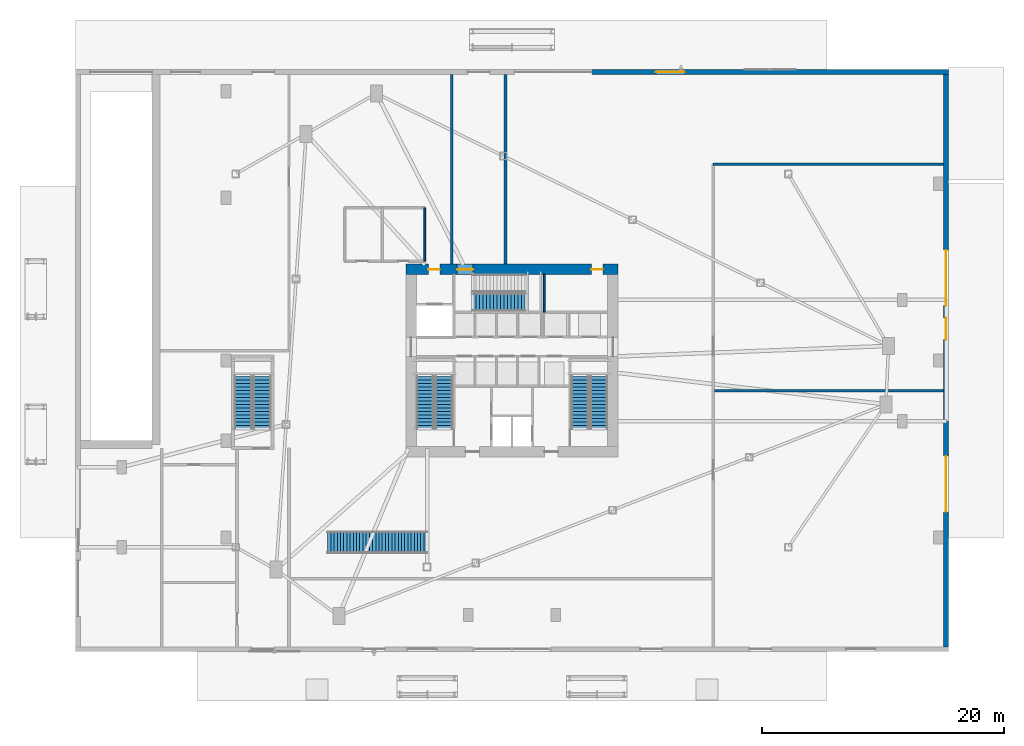
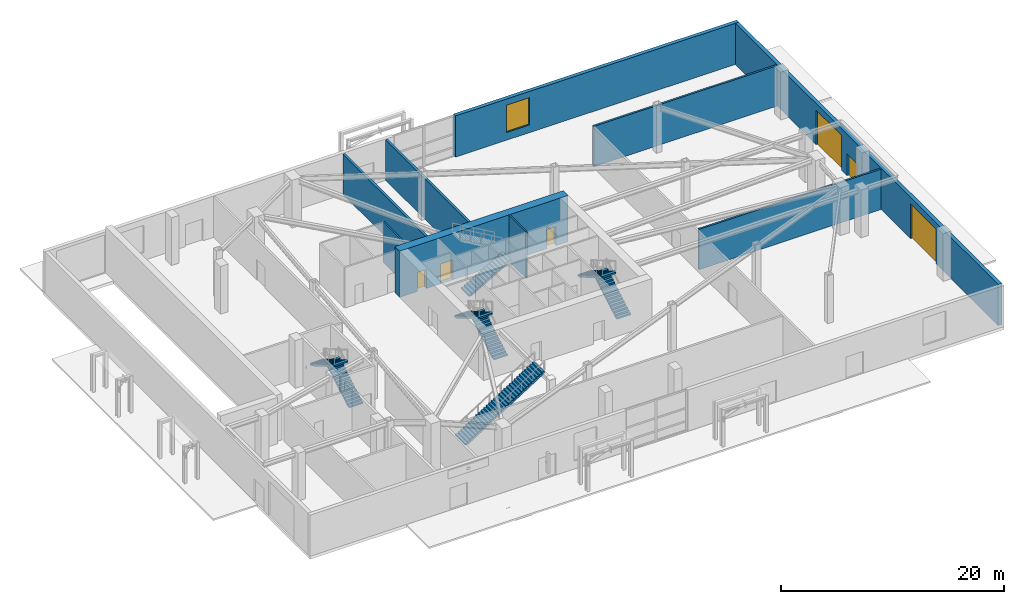
# One storey, part 16 of 22: 9 walls, 8 stair flights, 6 doors, 1 window, 7 openings, 5 elements without a shape of their own.
"""IFC4 building model written with IfcOpenShell, lengths in metres."""

from ifc_helpers import new_model, si_unit, direction, frame, frame_2d, origin, place, context, subcontext, project, spatial, polyline, rectangle, outline, extrude, source, transform, mapped, material, layer, layer_set, type_object, type_shapes, element, fill, aggregate, save


model = new_model("IFC4")

# Units and contexts
model_context = context("Model", 3, precision=1e-05, world=origin(), true_north=direction((0.0, 1.0)))
body_context = subcontext(model_context, "Body", "Model", "MODEL_VIEW")
ifc_project = project(units=[si_unit("LENGTHUNIT", "METRE"), si_unit("AREAUNIT", "SQUARE_METRE"), si_unit("VOLUMEUNIT", "CUBIC_METRE"), si_unit("PLANEANGLEUNIT", "RADIAN"), si_unit("MASSUNIT", "GRAM", prefix="KILO")], contexts=[model_context])

# Site, building, storey
site_placement = place(None, origin())
site = spatial("IfcSite", under=ifc_project, at=site_placement, CompositionType="ELEMENT")
building_placement = place(site_placement, origin())
building = spatial("IfcBuilding", under=site, at=building_placement, Name="Olszyna Solenne Hotel", CompositionType="ELEMENT")
storey_placement = place(building_placement, origin())
storey = spatial("IfcBuildingStorey", under=building, at=storey_placement, Name="L00", CompositionType="ELEMENT", Elevation=0.0)

# Wall, openings, doors
ifc_material_1 = material(Name="Concrete C60/75", Category="concrete")
ifc_layer_1 = layer(ifc_material_1, 0.85009765625, Name="Concrete C60/75")
ifc_layer_set_1 = layer_set([ifc_layer_1], Name="Concrete C60/75")
wall_type_1 = type_object("IfcWallType", Name="WL-CR850", PredefinedType="SHEAR", material=ifc_layer_set_1)
wall_1_placement = place(storey_placement, frame((29.25, 34.125, 0.0), z_axis=(0.0, 0.0, 1.0), x_axis=(1.0, 0.0, 0.0)))
wall_1 = element("IfcWall", 1, at=wall_1_placement, inside=storey, type_object=wall_type_1, Name="Core shear wall WL-CR850 CRW-L00-N", PredefinedType="SHEAR", context=body_context, shape_type="SweptSolid", body=[
    extrude(rectangle(XDim=17.5, YDim=0.85009765625, at=frame_2d((8.75, 0.0))), origin(), (0.0, 0.0, 1.0), 5.080078125),
])
opening_1_placement = place(wall_1_placement, frame((1.85009765625, 0.0, 0.0)))
opening_1 = element("IfcOpeningElement", 2, at=opening_1_placement, cuts=wall_1, Name="Opening SVD-L00-01", PredefinedType="OPENING", context=body_context, shape_type="SweptSolid", body=[
    extrude(rectangle(XDim=0.949951171875, YDim=2.10009765625, at=frame_2d((0.47509765625, 1.050048828125))), frame((0.0, 0.43505859375, 0.0), z_axis=(0.0, -1.0, 0.0), x_axis=(1.0, 0.0, 0.0)), (0.0, 0.0, 1.0), 0.8701171875),
])
opening_2_placement = place(wall_1_placement, frame((4.22998046875, 0.0, 0.0)))
opening_2 = element("IfcOpeningElement", 3, at=opening_2_placement, cuts=wall_1, Name="Opening STD-L00-03", PredefinedType="OPENING", context=body_context, shape_type="SweptSolid", body=[
    extrude(rectangle(XDim=1.320068359375, YDim=2.199951171875, at=frame_2d((0.66015625, 1.10009765625))), frame((0.0, 0.43505859375, 0.0), z_axis=(0.0, -1.0, 0.0), x_axis=(1.0, 0.0, 0.0)), (0.0, 0.0, 1.0), 0.8701171875),
])
opening_3_placement = place(wall_1_placement, frame((15.300048828125, 0.0, 0.0)))
opening_3 = element("IfcOpeningElement", 4, at=opening_3_placement, cuts=wall_1, Name="Opening SVD-L00-BN", PredefinedType="OPENING", context=body_context, shape_type="SweptSolid", body=[
    extrude(rectangle(XDim=0.949951171875, YDim=2.10009765625, at=frame_2d((0.47509765625, 1.050048828125))), frame((0.0, 0.43505859375, 0.0), z_axis=(0.0, -1.0, 0.0), x_axis=(1.0, 0.0, 0.0)), (0.0, 0.0, 1.0), 0.8701171875),
])
ifc_material_2 = material(Name="Steel S355J2", Category="steel")
door_type_1 = type_object("IfcDoorType", Name="DR-ST1", OperationType="NOTDEFINED", PredefinedType="DOOR", material=ifc_material_2)
shared_shape_1 = source(origin(), body_context, "Body", "SweptSolid", [
    extrude(rectangle(XDim=1.320068359375, YDim=2.199951171875, at=frame_2d((0.66015625, 1.10009765625))), frame((0.0, 0.02490234375, 0.0), z_axis=(0.0, -1.0, 0.0), x_axis=(1.0, 0.0, 0.0)), (0.0, 0.0, 1.0), 0.050048828125),
])
type_shapes(door_type_1, [shared_shape_1])
door_1_placement = place(opening_2_placement, origin())
door_1 = element("IfcDoor", 5, at=door_1_placement, inside=storey, type_object=door_type_1, Name="Pressurised exit stair ST3 fire door STD-L00-03", OperationType="SINGLE_SWING_RIGHT", OverallHeight=2.199951171875, OverallWidth=1.320068359375, PredefinedType="DOOR", context=body_context, shape_type="MappedRepresentation", body=[
    mapped(shared_shape_1, transform((0.0, 0.0, 0.0), x_axis=(1.0, 0.0, 0.0), y_axis=(0.0, 1.0, 0.0), z_axis=(0.0, 0.0, 1.0), scale=1.0)),
])
fill(opening_2, door_1)
door_type_2 = type_object("IfcDoorType", Name="DR-SV1", OperationType="NOTDEFINED", PredefinedType="DOOR", material=ifc_material_2)
shared_shape_2 = source(origin(), body_context, "Body", "SweptSolid", [
    extrude(rectangle(XDim=0.949951171875, YDim=2.10009765625, at=frame_2d((0.47509765625, 1.050048828125))), frame((0.0, 0.02490234375, 0.0), z_axis=(0.0, -1.0, 0.0), x_axis=(1.0, 0.0, 0.0)), (0.0, 0.0, 1.0), 0.050048828125),
])
type_shapes(door_type_2, [shared_shape_2])
door_2_placement = place(opening_1_placement, origin())
door_2 = element("IfcDoor", 6, at=door_2_placement, inside=storey, type_object=door_type_2, Name="Service lift lobby fire door SVD-L00-01", OperationType="SINGLE_SWING_LEFT", OverallHeight=2.10009765625, OverallWidth=0.949951171875, PredefinedType="DOOR", context=body_context, shape_type="MappedRepresentation", body=[
    mapped(shared_shape_2, transform((0.0, 0.0, 0.0), x_axis=(1.0, 0.0, 0.0), y_axis=(0.0, 1.0, 0.0), z_axis=(0.0, 0.0, 1.0), scale=1.0)),
])
fill(opening_1, door_2)
door_3_placement = place(opening_3_placement, origin())
door_3 = element("IfcDoor", 7, at=door_3_placement, inside=storey, type_object=door_type_2, Name="Housekeeping core fire door SVD-L00-BN", OperationType="SINGLE_SWING_LEFT", OverallHeight=2.10009765625, OverallWidth=0.949951171875, PredefinedType="DOOR", context=body_context, shape_type="MappedRepresentation", body=[
    mapped(shared_shape_2, transform((0.0, 0.0, 0.0), x_axis=(1.0, 0.0, 0.0), y_axis=(0.0, 1.0, 0.0), z_axis=(0.0, 0.0, 1.0), scale=1.0)),
])
fill(opening_3, door_3)

# Wall, opening, window
ifc_material_3 = material(Name="Terracotta cladding on precast concrete C45/55", Category="masonry")
ifc_layer_2 = layer(ifc_material_3, 0.3798828125, Name="Terracotta cladding on precast concrete C45/55")
ifc_layer_set_2 = layer_set([ifc_layer_2], Name="Terracotta cladding on precast concrete C45/55")
wall_type_2 = type_object("IfcWallType", Name="WL-EX380", PredefinedType="SOLIDWALL", material=ifc_layer_set_2)
wall_2_placement = place(storey_placement, frame((44.60009765625, 50.409912109375, 0.0), z_axis=(0.0, 0.0, 1.0), x_axis=(1.0, 0.0, 0.0)))
wall_2 = element("IfcWall", 8, at=wall_2_placement, inside=storey, type_object=wall_type_2, Name="Podium terracotta-precast exterior wall EW-L00-NE", PredefinedType="SOLIDWALL", context=body_context, shape_type="SweptSolid", body=[
    extrude(rectangle(XDim=29.39990234375, YDim=0.3798828125, at=frame_2d((14.699951171875, 0.0))), origin(), (0.0, 0.0, 1.0), 4.52197265625),
])
opening_4_placement = place(wall_2_placement, frame((5.26806640625, 0.0, 0.85009765625)))
opening_4 = element("IfcOpeningElement", 9, at=opening_4_placement, cuts=wall_2, Name="Opening WN-L00-004", PredefinedType="OPENING", context=body_context, shape_type="SweptSolid", body=[
    extrude(rectangle(XDim=2.39990234375, YDim=3.0, at=frame_2d((1.199951171875, 1.5))), frame((0.0, 0.199951171875, 0.0), z_axis=(0.0, -1.0, 0.0), x_axis=(1.0, 0.0, 0.0)), (0.0, 0.0, 1.0), 0.39990234375),
])
ifc_material_4 = material(Name="Low-E triple glazing", Category="glass")
window_type = type_object("IfcWindowType", Name="WN-PD1", PartitioningType="SINGLE_PANEL", PredefinedType="WINDOW", material=ifc_material_4)
shared_shape_3 = source(origin(), body_context, "Body", "SweptSolid", [
    extrude(rectangle(XDim=2.39990234375, YDim=3.0, at=frame_2d((1.199951171875, 1.5))), frame((0.0, 0.030029296875, 0.0), z_axis=(0.0, -1.0, 0.0), x_axis=(1.0, 0.0, 0.0)), (0.0, 0.0, 1.0), 0.06005859375),
])
type_shapes(window_type, [shared_shape_3])
window_placement = place(opening_4_placement, origin())
window = element("IfcWindow", 10, at=window_placement, inside=storey, type_object=window_type, Name="Podium triple-glazed window WN-PD1 WN-L00-004", OverallHeight=3.0, OverallWidth=2.39990234375, PartitioningType="SINGLE_PANEL", PredefinedType="WINDOW", context=body_context, shape_type="MappedRepresentation", body=[
    mapped(shared_shape_3, transform((0.0, 0.0, 0.0), x_axis=(1.0, 0.0, 0.0), y_axis=(0.0, 1.0, 0.0), z_axis=(0.0, 0.0, 1.0), scale=1.0)),
])
fill(opening_4, window)

# Wall, openings, doors
wall_3_placement = place(storey_placement, frame((73.81005859375, 50.219970703125, 0.0), z_axis=(0.0, 0.0, 1.0), x_axis=(0.0, -1.0, 0.0)))
wall_3 = element("IfcWall", 11, at=wall_3_placement, inside=storey, type_object=wall_type_2, Name="Podium terracotta-precast exterior wall EW-L00-E", PredefinedType="SOLIDWALL", context=body_context, shape_type="SweptSolid", body=[
    extrude(rectangle(XDim=47.239990234375, YDim=0.3798828125, at=frame_2d((23.6201171875, 0.0))), origin(), (0.0, 0.0, 1.0), 4.52197265625),
])
opening_5_placement = place(wall_3_placement, frame((20.10009765625, 0.0, 0.0)))
opening_5 = element("IfcOpeningElement", 12, at=opening_5_placement, cuts=wall_3, Name="Opening ED-08", PredefinedType="OPENING", context=body_context, shape_type="SweptSolid", body=[
    extrude(rectangle(XDim=1.800048828125, YDim=2.39990234375, at=frame_2d((0.89990234375, 1.199951171875))), frame((0.0, 0.199951171875, 0.0), z_axis=(0.0, -1.0, 0.0), x_axis=(1.0, 0.0, 0.0)), (0.0, 0.0, 1.0), 0.39990234375),
])
opening_6_placement = place(wall_3_placement, frame((14.5, 0.0, 0.0)))
opening_6 = element("IfcOpeningElement", 13, at=opening_6_placement, cuts=wall_3, Name="Opening SD-01", PredefinedType="OPENING", context=body_context, shape_type="SweptSolid", body=[
    extrude(rectangle(XDim=4.60009765625, YDim=3.800048828125, at=frame_2d((2.300048828125, 1.89990234375))), frame((0.0, 0.199951171875, 0.0), z_axis=(0.0, -1.0, 0.0), x_axis=(1.0, 0.0, 0.0)), (0.0, 0.0, 1.0), 0.39990234375),
])
opening_7_placement = place(wall_3_placement, frame((31.5, 0.0, 0.0)))
opening_7 = element("IfcOpeningElement", 14, at=opening_7_placement, cuts=wall_3, Name="Opening SD-02", PredefinedType="OPENING", context=body_context, shape_type="SweptSolid", body=[
    extrude(rectangle(XDim=4.60009765625, YDim=3.800048828125, at=frame_2d((2.300048828125, 1.89990234375))), frame((0.0, 0.199951171875, 0.0), z_axis=(0.0, -1.0, 0.0), x_axis=(1.0, 0.0, 0.0)), (0.0, 0.0, 1.0), 0.39990234375),
])
ifc_material_5 = material(Name="Anodised bronze aluminium", Category="aluminium")
door_type_3 = type_object("IfcDoorType", Name="DR-EX1", OperationType="DOUBLE_DOOR_SINGLE_SWING", PredefinedType="DOOR", material=ifc_material_5)
shared_shape_4 = source(origin(), body_context, "Body", "SweptSolid", [
    extrude(rectangle(XDim=1.800048828125, YDim=2.39990234375, at=frame_2d((0.89990234375, 1.199951171875))), frame((0.0, 0.02490234375, 0.0), z_axis=(0.0, -1.0, 0.0), x_axis=(1.0, 0.0, 0.0)), (0.0, 0.0, 1.0), 0.050048828125),
])
type_shapes(door_type_3, [shared_shape_4])
door_4_placement = place(opening_5_placement, origin())
door_4 = element("IfcDoor", 15, at=door_4_placement, inside=storey, type_object=door_type_3, Name="Pedestrian Exit Door ED-08", OperationType="DOUBLE_DOOR_SINGLE_SWING", OverallHeight=2.39990234375, OverallWidth=1.800048828125, PredefinedType="DOOR", context=body_context, shape_type="MappedRepresentation", body=[
    mapped(shared_shape_4, transform((0.0, 0.0, 0.0), x_axis=(1.0, 0.0, 0.0), y_axis=(0.0, 1.0, 0.0), z_axis=(0.0, 0.0, 1.0), scale=1.0)),
])
fill(opening_5, door_4)
door_type_4 = type_object("IfcDoorType", Name="VG-02", OperationType="ROLLINGUP", PredefinedType="GATE", material=ifc_material_2)
shared_shape_5 = source(origin(), body_context, "Body", "SweptSolid", [
    extrude(rectangle(XDim=4.60009765625, YDim=3.800048828125, at=frame_2d((2.300048828125, 1.89990234375))), frame((0.0, 0.02490234375, 0.0), z_axis=(0.0, -1.0, 0.0), x_axis=(1.0, 0.0, 0.0)), (0.0, 0.0, 1.0), 0.050048828125),
])
type_shapes(door_type_4, [shared_shape_5])
door_5_placement = place(opening_6_placement, origin())
door_5 = element("IfcDoor", 16, at=door_5_placement, inside=storey, type_object=door_type_4, Name="Loading Dock Roller Shutter Gate SD-01", OperationType="ROLLINGUP", OverallHeight=3.800048828125, OverallWidth=4.60009765625, PredefinedType="GATE", context=body_context, shape_type="MappedRepresentation", body=[
    mapped(shared_shape_5, transform((0.0, 0.0, 0.0), x_axis=(1.0, 0.0, 0.0), y_axis=(0.0, 1.0, 0.0), z_axis=(0.0, 0.0, 1.0), scale=1.0)),
])
fill(opening_6, door_5)
door_6_placement = place(opening_7_placement, origin())
door_6 = element("IfcDoor", 17, at=door_6_placement, inside=storey, type_object=door_type_4, Name="Service Delivery Shutter Gate SD-02", OperationType="ROLLINGUP", OverallHeight=3.800048828125, OverallWidth=4.60009765625, PredefinedType="GATE", context=body_context, shape_type="MappedRepresentation", body=[
    mapped(shared_shape_5, transform((0.0, 0.0, 0.0), x_axis=(1.0, 0.0, 0.0), y_axis=(0.0, 1.0, 0.0), z_axis=(0.0, 0.0, 1.0), scale=1.0)),
])
fill(opening_7, door_6)

# Walls
ifc_material_6 = material(Name="Acoustic gypsum partition", Category="gypsum")
ifc_layer_3 = layer(ifc_material_6, 0.159912109375, Name="Acoustic gypsum partition")
ifc_layer_set_3 = layer_set([ifc_layer_3], Name="Acoustic gypsum partition")
wall_type_3 = type_object("IfcWallType", Name="WL-PT160", PredefinedType="PARTITIONING", material=ifc_layer_set_3)
wall_4_placement = place(storey_placement, frame((40.659912109375, 30.60009765625, 0.0), z_axis=(0.0, 0.0, 1.0), x_axis=(0.0, 1.0, 0.0)))
element("IfcWall", 18, at=wall_4_placement, inside=storey, type_object=wall_type_3, Name="Core shaft compartment wall CW-L00-ST3E", PredefinedType="PARTITIONING", context=body_context, shape_type="SweptSolid", body=[
    extrude(rectangle(XDim=3.099853515625, YDim=0.159912109375, at=frame_2d((1.5498046875, 0.0))), origin(), (0.0, 0.0, 1.0), 5.080078125),
])
wall_5_placement = place(storey_placement, frame((30.800048828125, 34.800048828125, 0.0), z_axis=(0.0, 0.0, 1.0), x_axis=(0.0, 1.0, 0.0)))
element("IfcWall", 19, at=wall_5_placement, inside=storey, type_object=wall_type_3, Name="Interior acoustic partition WL-PT160 PW-L00-0102", PredefinedType="PARTITIONING", context=body_context, shape_type="SweptSolid", body=[
    extrude(rectangle(XDim=4.39990234375, YDim=0.159912109375, at=frame_2d((2.199951171875, 0.0))), origin(), (0.0, 0.0, 1.0), 4.429931640625),
])
ifc_layer_4 = layer(ifc_material_6, 0.199951171875, Name="Acoustic gypsum partition")
ifc_layer_set_4 = layer_set([ifc_layer_4], Name="Acoustic gypsum partition")
wall_type_4 = type_object("IfcWallType", Name="WL-PT200", PredefinedType="PARTITIONING", material=ifc_layer_set_4)
wall_6_placement = place(storey_placement, frame((54.719970703125, 24.10009765625, 0.0), z_axis=(0.0, 0.0, 1.0), x_axis=(1.0, 0.0, 0.0)))
element("IfcWall", 20, at=wall_6_placement, inside=storey, type_object=wall_type_4, Name="Interior acoustic partition WL-PT200 PW-L00-0096", PredefinedType="PARTITIONING", context=body_context, shape_type="SweptSolid", body=[
    extrude(rectangle(XDim=18.900146484375, YDim=0.199951171875, at=frame_2d((9.4501953125, 0.0))), origin(), (0.0, 0.0, 1.0), 4.429931640625),
])
wall_7_placement = place(storey_placement, frame((54.60009765625, 42.800048828125, 0.0), z_axis=(0.0, 0.0, 1.0), x_axis=(1.0, 0.0, 0.0)))
element("IfcWall", 21, at=wall_7_placement, inside=storey, type_object=wall_type_4, Name="Interior acoustic partition WL-PT200 PW-L00-0097", PredefinedType="PARTITIONING", context=body_context, shape_type="SweptSolid", body=[
    extrude(rectangle(XDim=19.02001953125, YDim=0.199951171875, at=frame_2d((9.510009765625, 0.0))), origin(), (0.0, 0.0, 1.0), 4.429931640625),
])
ifc_layer_5 = layer(ifc_material_6, 0.239990234375, Name="Acoustic gypsum partition")
ifc_layer_set_5 = layer_set([ifc_layer_5], Name="Acoustic gypsum partition")
wall_type_5 = type_object("IfcWallType", Name="WL-PT240", PredefinedType="PARTITIONING", material=ifc_layer_set_5)
for number, where, z_axis, x_axis, name in (
    (22, (33.030029296875, 34.550048828125, 0.0), (0.0, 0.0, 1.0), (0.0, 1.0, 0.0), "Interior acoustic partition WL-PT240 PW-L00-0090"),
    (23, (37.469970703125, 34.550048828125, 0.0), (0.0, 0.0, 1.0), (0.0, 1.0, 0.0), "Interior acoustic partition WL-PT240 PW-L00-0091"),
):
    element("IfcWall", number, at=place(storey_placement, frame(where, z_axis=z_axis, x_axis=x_axis)), inside=storey, type_object=wall_type_5, Name=name, PredefinedType="PARTITIONING", context=body_context, shape_type="SweptSolid", body=[
        extrude(rectangle(XDim=15.669921875, YDim=0.239990234375, at=frame_2d((7.8349609375, 0.0))), origin(), (0.0, 0.0, 1.0), 4.429931640625),
    ])

# Stair, stair flights
ifc_material_7 = material(Name="Concrete C40/50", Category="concrete")
stair_type_1 = type_object("IfcStairType", Name="STR-C1", PredefinedType="TWO_QUARTER_WINDING_STAIR", material=ifc_material_7)
stair_1_placement = place(storey_placement, origin())
stair_1 = element("IfcStair", 24, at=stair_1_placement, inside=storey, type_object=stair_type_1, Name="L00 ST1", PredefinedType="TWO_QUARTER_WINDING_STAIR")
stair_flight_type_1 = type_object("IfcStairFlightType", Name="FLT-C1", PredefinedType="STRAIGHT", material=ifc_material_7)
stair_flight_1_placement = place(storey_placement, frame((32.39501953125, 20.949951171875, 0.0), z_axis=(0.0, 0.0, 1.0), x_axis=(0.0, 1.0, 0.0)))
stair_flight_1 = element("IfcStairFlight", 25, at=stair_flight_1_placement, type_object=stair_flight_type_1, Name="ST1 flight 1", NumberOfRisers=16, NumberOfTreads=15, PredefinedType="STRAIGHT", RiserHeight=0.16875, TreadLength=0.29, context=body_context, shape_type="SweptSolid", body=[
    extrude(outline(polyline([(0.0, 0.0), (0.0, 0.168701171875), (0.2900390625, 0.168701171875), (0.2900390625, 0.33740234375), (0.580078125, 0.33740234375), (0.580078125, 0.50634765625), (0.8701171875, 0.50634765625), (0.8701171875, 0.675048828125), (1.159912109375, 0.675048828125), (1.159912109375, 0.84375), (1.449951171875, 0.84375), (1.449951171875, 1.012451171875), (1.739990234375, 1.012451171875), (1.739990234375, 1.18115234375), (2.030029296875, 1.18115234375), (2.030029296875, 1.35009765625), (2.320068359375, 1.35009765625), (2.320068359375, 1.518798828125), (2.610107421875, 1.518798828125), (2.610107421875, 1.6875), (2.89990234375, 1.6875), (2.89990234375, 1.856201171875), (3.18994140625, 1.856201171875), (3.18994140625, 2.02490234375), (3.47998046875, 2.02490234375), (3.47998046875, 2.19384765625), (3.77001953125, 2.19384765625), (3.77001953125, 2.362548828125), (4.06005859375, 2.362548828125), (4.06005859375, 2.53125), (4.35009765625, 2.53125), (4.35009765625, 2.699951171875), (4.35009765625, 2.35791015625), (0.298095703125, 0.0), (0.0, 0.0)])), frame((0.0, 0.72509765625, 0.0), z_axis=(0.0, -1.0, 0.0), x_axis=(1.0, 0.0, 0.0)), (0.0, 0.0, 1.0), 1.449951171875),
])
stair_flight_2_placement = place(storey_placement, frame((30.824951171875, 25.300048828125, 2.699951171875), z_axis=(0.0, 0.0, 1.0), x_axis=(0.0, -1.0, 0.0)))
stair_flight_2 = element("IfcStairFlight", 26, at=stair_flight_2_placement, type_object=stair_flight_type_1, Name="ST1 flight 2", NumberOfRisers=16, NumberOfTreads=15, PredefinedType="STRAIGHT", RiserHeight=0.16875, TreadLength=0.29, context=body_context, shape_type="SweptSolid", body=[
    extrude(outline(polyline([(0.0, 0.0), (0.0, 0.168701171875), (0.2900390625, 0.168701171875), (0.2900390625, 0.33740234375), (0.580078125, 0.33740234375), (0.580078125, 0.50634765625), (0.8701171875, 0.50634765625), (0.8701171875, 0.675048828125), (1.159912109375, 0.675048828125), (1.159912109375, 0.84375), (1.449951171875, 0.84375), (1.449951171875, 1.012451171875), (1.739990234375, 1.012451171875), (1.739990234375, 1.18115234375), (2.030029296875, 1.18115234375), (2.030029296875, 1.35009765625), (2.320068359375, 1.35009765625), (2.320068359375, 1.518798828125), (2.610107421875, 1.518798828125), (2.610107421875, 1.6875), (2.89990234375, 1.6875), (2.89990234375, 1.856201171875), (3.18994140625, 1.856201171875), (3.18994140625, 2.02490234375), (3.47998046875, 2.02490234375), (3.47998046875, 2.19384765625), (3.77001953125, 2.19384765625), (3.77001953125, 2.362548828125), (4.06005859375, 2.362548828125), (4.06005859375, 2.53125), (4.35009765625, 2.53125), (4.35009765625, 2.699951171875), (4.35009765625, 2.35791015625), (0.298095703125, 0.0), (0.0, 0.0)])), frame((0.0, 0.72509765625, 0.0), z_axis=(0.0, -1.0, 0.0), x_axis=(1.0, 0.0, 0.0)), (0.0, 0.0, 1.0), 1.449951171875),
])
aggregate(stair_1, [stair_flight_1, stair_flight_2])

stair_2_placement = place(storey_placement, origin())
stair_2 = element("IfcStair", 27, at=stair_2_placement, inside=storey, type_object=stair_type_1, Name="L00 ST2", PredefinedType="TWO_QUARTER_WINDING_STAIR")
stair_flight_3_placement = place(storey_placement, frame((45.175048828125, 20.949951171875, 0.0), z_axis=(0.0, 0.0, 1.0), x_axis=(0.0, 1.0, 0.0)))
stair_flight_3 = element("IfcStairFlight", 28, at=stair_flight_3_placement, type_object=stair_flight_type_1, Name="ST2 flight 1", NumberOfRisers=16, NumberOfTreads=15, PredefinedType="STRAIGHT", RiserHeight=0.16875, TreadLength=0.29, context=body_context, shape_type="SweptSolid", body=[
    extrude(outline(polyline([(0.0, 0.0), (0.0, 0.168701171875), (0.2900390625, 0.168701171875), (0.2900390625, 0.33740234375), (0.580078125, 0.33740234375), (0.580078125, 0.50634765625), (0.8701171875, 0.50634765625), (0.8701171875, 0.675048828125), (1.159912109375, 0.675048828125), (1.159912109375, 0.84375), (1.449951171875, 0.84375), (1.449951171875, 1.012451171875), (1.739990234375, 1.012451171875), (1.739990234375, 1.18115234375), (2.030029296875, 1.18115234375), (2.030029296875, 1.35009765625), (2.320068359375, 1.35009765625), (2.320068359375, 1.518798828125), (2.610107421875, 1.518798828125), (2.610107421875, 1.6875), (2.89990234375, 1.6875), (2.89990234375, 1.856201171875), (3.18994140625, 1.856201171875), (3.18994140625, 2.02490234375), (3.47998046875, 2.02490234375), (3.47998046875, 2.19384765625), (3.77001953125, 2.19384765625), (3.77001953125, 2.362548828125), (4.06005859375, 2.362548828125), (4.06005859375, 2.53125), (4.35009765625, 2.53125), (4.35009765625, 2.699951171875), (4.35009765625, 2.35791015625), (0.298095703125, 0.0), (0.0, 0.0)])), frame((0.0, 0.72509765625, 0.0), z_axis=(0.0, -1.0, 0.0), x_axis=(1.0, 0.0, 0.0)), (0.0, 0.0, 1.0), 1.449951171875),
])
stair_flight_4_placement = place(storey_placement, frame((43.60498046875, 25.300048828125, 2.699951171875), z_axis=(0.0, 0.0, 1.0), x_axis=(0.0, -1.0, 0.0)))
stair_flight_4 = element("IfcStairFlight", 29, at=stair_flight_4_placement, type_object=stair_flight_type_1, Name="ST2 flight 2", NumberOfRisers=16, NumberOfTreads=15, PredefinedType="STRAIGHT", RiserHeight=0.16875, TreadLength=0.29, context=body_context, shape_type="SweptSolid", body=[
    extrude(outline(polyline([(0.0, 0.0), (0.0, 0.168701171875), (0.2900390625, 0.168701171875), (0.2900390625, 0.33740234375), (0.580078125, 0.33740234375), (0.580078125, 0.50634765625), (0.8701171875, 0.50634765625), (0.8701171875, 0.675048828125), (1.159912109375, 0.675048828125), (1.159912109375, 0.84375), (1.449951171875, 0.84375), (1.449951171875, 1.012451171875), (1.739990234375, 1.012451171875), (1.739990234375, 1.18115234375), (2.030029296875, 1.18115234375), (2.030029296875, 1.35009765625), (2.320068359375, 1.35009765625), (2.320068359375, 1.518798828125), (2.610107421875, 1.518798828125), (2.610107421875, 1.6875), (2.89990234375, 1.6875), (2.89990234375, 1.856201171875), (3.18994140625, 1.856201171875), (3.18994140625, 2.02490234375), (3.47998046875, 2.02490234375), (3.47998046875, 2.19384765625), (3.77001953125, 2.19384765625), (3.77001953125, 2.362548828125), (4.06005859375, 2.362548828125), (4.06005859375, 2.53125), (4.35009765625, 2.53125), (4.35009765625, 2.699951171875), (4.35009765625, 2.35791015625), (0.298095703125, 0.0), (0.0, 0.0)])), frame((0.0, 0.72509765625, 0.0), z_axis=(0.0, -1.0, 0.0), x_axis=(1.0, 0.0, 0.0)), (0.0, 0.0, 1.0), 1.449951171875),
])
aggregate(stair_2, [stair_flight_3, stair_flight_4])

# Stair, stair flight
stair_3_placement = place(storey_placement, origin())
stair_3 = element("IfcStair", 30, at=stair_3_placement, inside=storey, type_object=stair_type_1, Name="L00 ST3", PredefinedType="TWO_QUARTER_WINDING_STAIR")
stair_flight_5_placement = place(storey_placement, frame((34.72998046875, 31.405029296875, 0.0), z_axis=(0.0, 0.0, 1.0), x_axis=(1.0, 0.0, 0.0)))
stair_flight_5 = element("IfcStairFlight", 31, at=stair_flight_5_placement, type_object=stair_flight_type_1, Name="ST3 flight 1", NumberOfRisers=16, NumberOfTreads=15, PredefinedType="STRAIGHT", RiserHeight=0.16875, TreadLength=0.29, context=body_context, shape_type="SweptSolid", body=[
    extrude(outline(polyline([(0.0, 0.0), (0.0, 0.168701171875), (0.2900390625, 0.168701171875), (0.2900390625, 0.33740234375), (0.580078125, 0.33740234375), (0.580078125, 0.50634765625), (0.8701171875, 0.50634765625), (0.8701171875, 0.675048828125), (1.159912109375, 0.675048828125), (1.159912109375, 0.84375), (1.449951171875, 0.84375), (1.449951171875, 1.012451171875), (1.739990234375, 1.012451171875), (1.739990234375, 1.18115234375), (2.030029296875, 1.18115234375), (2.030029296875, 1.35009765625), (2.320068359375, 1.35009765625), (2.320068359375, 1.518798828125), (2.610107421875, 1.518798828125), (2.610107421875, 1.6875), (2.89990234375, 1.6875), (2.89990234375, 1.856201171875), (3.18994140625, 1.856201171875), (3.18994140625, 2.02490234375), (3.47998046875, 2.02490234375), (3.47998046875, 2.19384765625), (3.77001953125, 2.19384765625), (3.77001953125, 2.362548828125), (4.06005859375, 2.362548828125), (4.06005859375, 2.53125), (4.35009765625, 2.53125), (4.35009765625, 2.699951171875), (4.35009765625, 2.35791015625), (0.298095703125, 0.0), (0.0, 0.0)])), frame((0.0, 0.72509765625, 0.0), z_axis=(0.0, -1.0, 0.0), x_axis=(1.0, 0.0, 0.0)), (0.0, 0.0, 1.0), 1.449951171875),
])
aggregate(stair_3, [stair_flight_5])

# Stair, stair flights
stair_type_2 = type_object("IfcStairType", Name="STR-P1", PredefinedType="TWO_QUARTER_WINDING_STAIR", material=ifc_material_7)
stair_4_placement = place(storey_placement, origin())
stair_4 = element("IfcStair", 32, at=stair_4_placement, inside=storey, type_object=stair_type_2, Name="L00 ST4", PredefinedType="TWO_QUARTER_WINDING_STAIR")
stair_flight_type_2 = type_object("IfcStairFlightType", Name="FLT-P1", PredefinedType="STRAIGHT", material=ifc_material_7)
stair_flight_6_placement = place(storey_placement, frame((17.39501953125, 20.949951171875, 0.0), z_axis=(0.0, 0.0, 1.0), x_axis=(0.0, 1.0, 0.0)))
stair_flight_6 = element("IfcStairFlight", 33, at=stair_flight_6_placement, type_object=stair_flight_type_2, Name="ST4 flight 1", NumberOfRisers=16, NumberOfTreads=15, PredefinedType="STRAIGHT", RiserHeight=0.16875, TreadLength=0.29, context=body_context, shape_type="SweptSolid", body=[
    extrude(outline(polyline([(0.0, 0.0), (0.0, 0.168701171875), (0.2900390625, 0.168701171875), (0.2900390625, 0.33740234375), (0.580078125, 0.33740234375), (0.580078125, 0.50634765625), (0.8701171875, 0.50634765625), (0.8701171875, 0.675048828125), (1.159912109375, 0.675048828125), (1.159912109375, 0.84375), (1.449951171875, 0.84375), (1.449951171875, 1.012451171875), (1.739990234375, 1.012451171875), (1.739990234375, 1.18115234375), (2.030029296875, 1.18115234375), (2.030029296875, 1.35009765625), (2.320068359375, 1.35009765625), (2.320068359375, 1.518798828125), (2.610107421875, 1.518798828125), (2.610107421875, 1.6875), (2.89990234375, 1.6875), (2.89990234375, 1.856201171875), (3.18994140625, 1.856201171875), (3.18994140625, 2.02490234375), (3.47998046875, 2.02490234375), (3.47998046875, 2.19384765625), (3.77001953125, 2.19384765625), (3.77001953125, 2.362548828125), (4.06005859375, 2.362548828125), (4.06005859375, 2.53125), (4.35009765625, 2.53125), (4.35009765625, 2.699951171875), (4.35009765625, 2.35791015625), (0.298095703125, 0.0), (0.0, 0.0)])), frame((0.0, 0.72509765625, 0.0), z_axis=(0.0, -1.0, 0.0), x_axis=(1.0, 0.0, 0.0)), (0.0, 0.0, 1.0), 1.449951171875),
])
stair_flight_7_placement = place(storey_placement, frame((15.824951171875, 25.300048828125, 2.699951171875), z_axis=(0.0, 0.0, 1.0), x_axis=(0.0, -1.0, 0.0)))
stair_flight_7 = element("IfcStairFlight", 34, at=stair_flight_7_placement, type_object=stair_flight_type_2, Name="ST4 flight 2", NumberOfRisers=16, NumberOfTreads=15, PredefinedType="STRAIGHT", RiserHeight=0.16875, TreadLength=0.29, context=body_context, shape_type="SweptSolid", body=[
    extrude(outline(polyline([(0.0, 0.0), (0.0, 0.168701171875), (0.2900390625, 0.168701171875), (0.2900390625, 0.33740234375), (0.580078125, 0.33740234375), (0.580078125, 0.50634765625), (0.8701171875, 0.50634765625), (0.8701171875, 0.675048828125), (1.159912109375, 0.675048828125), (1.159912109375, 0.84375), (1.449951171875, 0.84375), (1.449951171875, 1.012451171875), (1.739990234375, 1.012451171875), (1.739990234375, 1.18115234375), (2.030029296875, 1.18115234375), (2.030029296875, 1.35009765625), (2.320068359375, 1.35009765625), (2.320068359375, 1.518798828125), (2.610107421875, 1.518798828125), (2.610107421875, 1.6875), (2.89990234375, 1.6875), (2.89990234375, 1.856201171875), (3.18994140625, 1.856201171875), (3.18994140625, 2.02490234375), (3.47998046875, 2.02490234375), (3.47998046875, 2.19384765625), (3.77001953125, 2.19384765625), (3.77001953125, 2.362548828125), (4.06005859375, 2.362548828125), (4.06005859375, 2.53125), (4.35009765625, 2.53125), (4.35009765625, 2.699951171875), (4.35009765625, 2.35791015625), (0.298095703125, 0.0), (0.0, 0.0)])), frame((0.0, 0.72509765625, 0.0), z_axis=(0.0, -1.0, 0.0), x_axis=(1.0, 0.0, 0.0)), (0.0, 0.0, 1.0), 1.449951171875),
])
aggregate(stair_4, [stair_flight_6, stair_flight_7])

# Stair, stair flight
stair_type_3 = type_object("IfcStairType", Name="STR-SG1", PredefinedType="STRAIGHT_RUN_STAIR", material=ifc_material_7)
stair_5_placement = place(storey_placement, origin())
stair_5 = element("IfcStair", 35, at=stair_5_placement, inside=storey, type_object=stair_type_3, Name="Feature straight architectural stair FS-01", PredefinedType="STRAIGHT_RUN_STAIR")
stair_flight_type_3 = type_object("IfcStairFlightType", Name="FLT-SG1", PredefinedType="STRAIGHT", material=ifc_material_7)
stair_flight_8_placement = place(storey_placement, frame((22.784912109375, 11.60009765625, 0.0), z_axis=(0.0, 0.0, 1.0), x_axis=(1.0, 0.0, 0.0)))
stair_flight_8 = element("IfcStairFlight", 36, at=stair_flight_8_placement, type_object=stair_flight_type_3, Name="Feature stair flight FS-01-FL1", NumberOfRisers=32, NumberOfTreads=31, PredefinedType="STRAIGHT", RiserHeight=0.16875, TreadLength=0.265, context=body_context, shape_type="SweptSolid", body=[
    extrude(outline(polyline([(0.0, 0.0), (0.0, 0.168701171875), (0.264892578125, 0.168701171875), (0.264892578125, 0.33740234375), (0.530029296875, 0.33740234375), (0.530029296875, 0.50634765625), (0.794921875, 0.50634765625), (0.794921875, 0.675048828125), (1.06005859375, 0.675048828125), (1.06005859375, 0.84375), (1.324951171875, 0.84375), (1.324951171875, 1.012451171875), (1.590087890625, 1.012451171875), (1.590087890625, 1.18115234375), (1.85498046875, 1.18115234375), (1.85498046875, 1.35009765625), (2.1201171875, 1.35009765625), (2.1201171875, 1.518798828125), (2.385009765625, 1.518798828125), (2.385009765625, 1.6875), (2.64990234375, 1.6875), (2.64990234375, 1.856201171875), (2.9150390625, 1.856201171875), (2.9150390625, 2.02490234375), (3.179931640625, 2.02490234375), (3.179931640625, 2.19384765625), (3.445068359375, 2.19384765625), (3.445068359375, 2.362548828125), (3.7099609375, 2.362548828125), (3.7099609375, 2.53125), (3.97509765625, 2.53125), (3.97509765625, 2.699951171875), (4.239990234375, 2.699951171875), (4.239990234375, 2.86865234375), (4.5048828125, 2.86865234375), (4.5048828125, 3.03759765625), (4.77001953125, 3.03759765625), (4.77001953125, 3.206298828125), (5.034912109375, 3.206298828125), (5.034912109375, 3.375), (5.300048828125, 3.375), (5.300048828125, 3.543701171875), (5.56494140625, 3.543701171875), (5.56494140625, 3.71240234375), (5.830078125, 3.71240234375), (5.830078125, 3.88134765625), (6.094970703125, 3.88134765625), (6.094970703125, 4.050048828125), (6.360107421875, 4.050048828125), (6.360107421875, 4.21875), (6.625, 4.21875), (6.625, 4.387451171875), (6.889892578125, 4.387451171875), (6.889892578125, 4.55615234375), (7.155029296875, 4.55615234375), (7.155029296875, 4.72509765625), (7.419921875, 4.72509765625), (7.419921875, 4.893798828125), (7.68505859375, 4.893798828125), (7.68505859375, 5.0625), (7.949951171875, 5.0625), (7.949951171875, 5.231201171875), (8.215087890625, 5.231201171875), (8.215087890625, 5.39990234375), (8.215087890625, 5.017822265625), (0.3349609375, 0.0), (0.0, 0.0)])), frame((0.0, 0.89990234375, 0.0), z_axis=(0.0, -1.0, 0.0), x_axis=(1.0, 0.0, 0.0)), (0.0, 0.0, 1.0), 1.800048828125),
])
aggregate(stair_5, [stair_flight_8])

save(model, "model.ifc")
